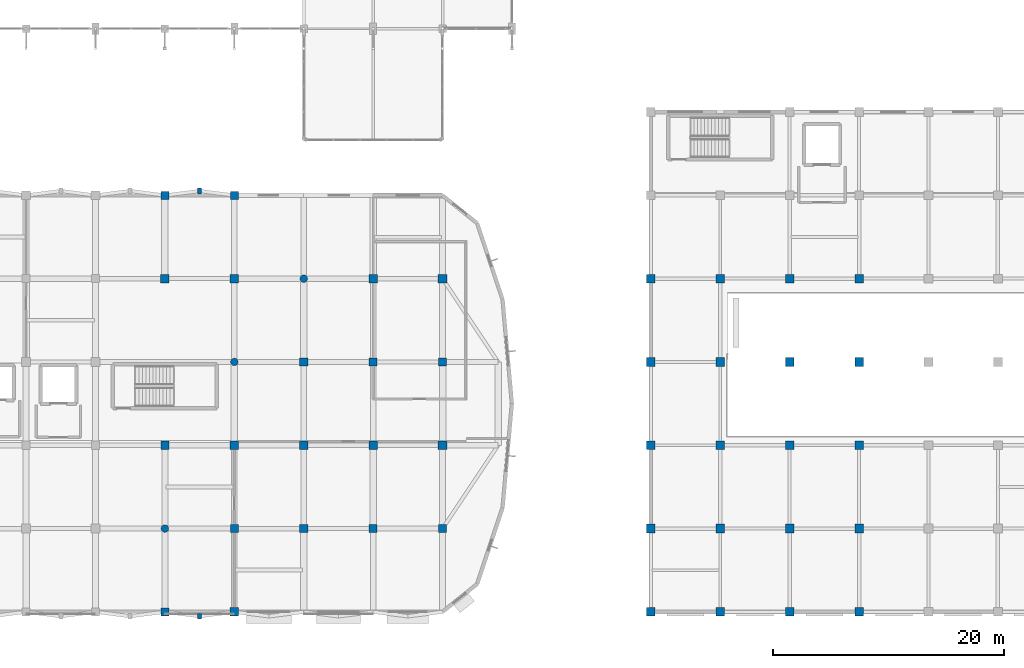
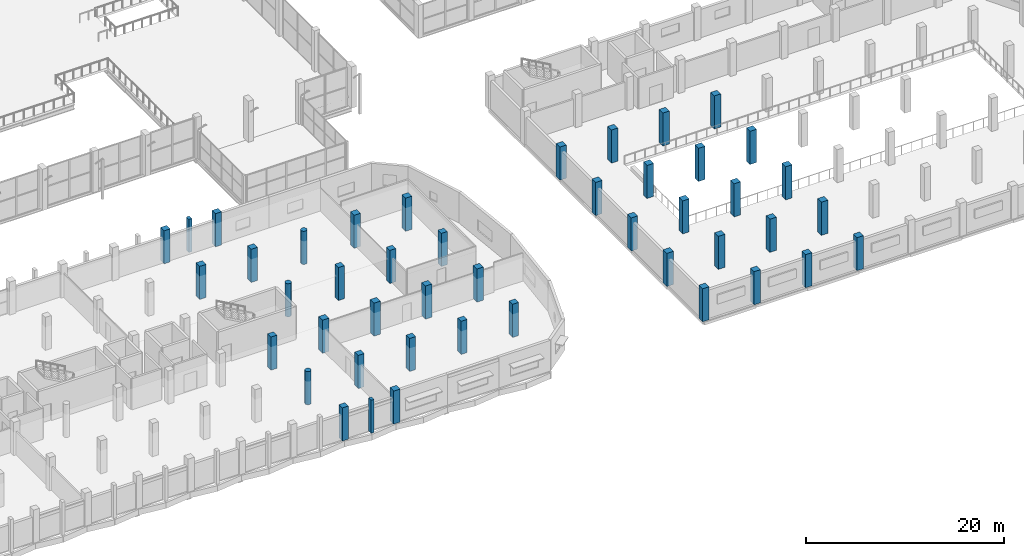
# One storey, part 3 of 127: 45 columns.
"""IFC4 building model written with IfcOpenShell, lengths in metres."""

from ifc_helpers import new_model, si_unit, direction, frame, origin, origin_2d, place, context, subcontext, project, spatial, rectangle, circle, extrude, material, material_profile, profile_set, type_object, element, save


model = new_model("IFC4")

# Units and contexts
model_context = context("Model", 3, precision=1e-05, world=origin(), true_north=direction((0.0, 1.0)))
body_context = subcontext(model_context, "Body", "Model", "MODEL_VIEW")
ifc_project = project(units=[si_unit("LENGTHUNIT", "METRE"), si_unit("AREAUNIT", "SQUARE_METRE"), si_unit("VOLUMEUNIT", "CUBIC_METRE"), si_unit("PLANEANGLEUNIT", "RADIAN"), si_unit("MASSUNIT", "GRAM", prefix="KILO")], contexts=[model_context])

# Site, building, storey
site_placement = place(None, origin())
site = spatial("IfcSite", under=ifc_project, at=site_placement, CompositionType="ELEMENT")
building_placement = place(site_placement, origin())
building = spatial("IfcBuilding", under=site, at=building_placement, Name="Dunvalen Ferry Terminal", CompositionType="ELEMENT")
storey_placement = place(building_placement, frame((0.0, 0.0, 5.760009765625)))
storey = spatial("IfcBuildingStorey", under=building, at=storey_placement, Name="L01", CompositionType="ELEMENT", Elevation=5.760009765625)

# Columns
ifc_material = material(Name="Concrete C40/50", Category="concrete")
ifc_material_profile_1 = material_profile(ifc_material, circle(Radius=0.324951171875, at=origin_2d()), Name="Concrete C40/50")
ifc_profile_set_1 = profile_set([ifc_material_profile_1], Name="Concrete C40/50")
column_type_1 = type_object("IfcColumnType", Name="STR-COL-D650", PredefinedType="COLUMN", material=ifc_profile_set_1)
for number, where, z_axis, x_axis, name in (
    (1, (66.0, 7.199951171875, 0.0), (0.0, 0.0, 1.0), (1.0, 0.0, 0.0), "L01 Maritime Wing Column 056"),
    (2, (72.0, 21.60009765625, 0.0), (0.0, 0.0, 1.0), (1.0, 0.0, 0.0), "L01 Maritime Wing Column 063"),
    (3, (78.0, 28.800048828125, 0.0), (0.0, 0.0, 1.0), (1.0, 0.0, 0.0), "L01 Maritime Wing Column 070"),
):
    element("IfcColumn", number, at=place(storey_placement, frame(where, z_axis=z_axis, x_axis=x_axis)), inside=storey, type_object=column_type_1, Name=name, PredefinedType="COLUMN", context=body_context, shape_type="SweptSolid", body=[
        extrude(circle(Radius=0.324951171875, at=origin_2d()), origin(), (0.0, 0.0, 1.0), 4.080078125),
    ])
ifc_material_profile_2 = material_profile(ifc_material, rectangle(XDim=0.699951171875, YDim=0.699951171875, at=origin_2d()), Name="Concrete C40/50")
ifc_profile_set_2 = profile_set([ifc_material_profile_2], Name="Concrete C40/50")
column_type_2 = type_object("IfcColumnType", Name="STR-COL-RC700", PredefinedType="COLUMN", material=ifc_profile_set_2)
for number, where, z_axis, x_axis, name in (
    (4, (66.0, 0.0, 0.0), (0.0, 0.0, 1.0), (1.0, 0.0, 0.0), "L01 Maritime Wing Column 055"),
    (5, (66.0, 14.39990234375, 0.0), (0.0, 0.0, 1.0), (1.0, 0.0, 0.0), "L01 Maritime Wing Column 057"),
    (6, (66.0, 36.0, 0.0), (0.0, 0.0, 1.0), (1.0, 0.0, 0.0), "L01 Maritime Wing Column 059"),
    (7, (72.0, 7.199951171875, 0.0), (0.0, 0.0, 1.0), (1.0, 0.0, 0.0), "L01 Maritime Wing Column 061"),
    (8, (72.0, 36.0, 0.0), (0.0, 0.0, 1.0), (1.0, 0.0, 0.0), "L01 Maritime Wing Column 065"),
    (9, (78.0, 7.199951171875, 0.0), (0.0, 0.0, 1.0), (1.0, 0.0, 0.0), "L01 Maritime Wing Column 067"),
    (10, (78.0, 21.60009765625, 0.0), (0.0, 0.0, 1.0), (1.0, 0.0, 0.0), "L01 Maritime Wing Column 069"),
    (11, (84.0, 7.199951171875, 0.0), (0.0, 0.0, 1.0), (1.0, 0.0, 0.0), "L01 Maritime Wing Column 073"),
    (12, (84.0, 21.60009765625, 0.0), (0.0, 0.0, 1.0), (1.0, 0.0, 0.0), "L01 Maritime Wing Column 075"),
    (13, (90.0, 7.199951171875, 0.0), (0.0, 0.0, 1.0), (1.0, 0.0, 0.0), "L01 Maritime Wing Column 079"),
    (14, (90.0, 21.60009765625, 0.0), (0.0, 0.0, 1.0), (1.0, 0.0, 0.0), "L01 Maritime Wing Column 081"),
):
    element("IfcColumn", number, at=place(storey_placement, frame(where, z_axis=z_axis, x_axis=x_axis)), inside=storey, type_object=column_type_2, Name=name, PredefinedType="COLUMN", context=body_context, shape_type="SweptSolid", body=[
        extrude(rectangle(XDim=0.699951171875, YDim=0.699951171875, at=origin_2d()), origin(), (0.0, 0.0, 1.0), 4.080078125),
    ])
ifc_material_profile_3 = material_profile(ifc_material, rectangle(XDim=0.75, YDim=0.75, at=origin_2d()), Name="Concrete C40/50")
ifc_profile_set_3 = profile_set([ifc_material_profile_3], Name="Concrete C40/50")
column_type_3 = type_object("IfcColumnType", Name="STR-COL-RC750", PredefinedType="COLUMN", material=ifc_profile_set_3)
for number, where, z_axis, x_axis, name in (
    (15, (66.0, 28.800048828125, 0.0), (0.0, 0.0, 1.0), (1.0, 0.0, 0.0), "L01 Maritime Wing Column 058"),
    (16, (72.0, 0.0, 0.0), (0.0, 0.0, 1.0), (1.0, 0.0, 0.0), "L01 Maritime Wing Column 060"),
    (17, (72.0, 14.39990234375, 0.0), (0.0, 0.0, 1.0), (1.0, 0.0, 0.0), "L01 Maritime Wing Column 062"),
    (18, (72.0, 28.800048828125, 0.0), (0.0, 0.0, 1.0), (1.0, 0.0, 0.0), "L01 Maritime Wing Column 064"),
    (19, (78.0, 14.39990234375, 0.0), (0.0, 0.0, 1.0), (1.0, 0.0, 0.0), "L01 Maritime Wing Column 068"),
    (20, (84.0, 14.39990234375, 0.0), (0.0, 0.0, 1.0), (1.0, 0.0, 0.0), "L01 Maritime Wing Column 074"),
    (21, (84.0, 28.800048828125, 0.0), (0.0, 0.0, 1.0), (1.0, 0.0, 0.0), "L01 Maritime Wing Column 076"),
    (22, (90.0, 14.39990234375, 0.0), (0.0, 0.0, 1.0), (1.0, 0.0, 0.0), "L01 Maritime Wing Column 080"),
    (23, (90.0, 28.800048828125, 0.0), (0.0, 0.0, 1.0), (1.0, 0.0, 0.0), "L01 Maritime Wing Column 082"),
    (24, (108.0, 0.0, 0.0), (0.0, 0.0, 1.0), (1.0, 0.0, 0.0), "L01 Vehicle Marshalling Column 01"),
    (25, (108.0, 7.199951171875, 0.0), (0.0, 0.0, 1.0), (1.0, 0.0, 0.0), "L01 Vehicle Marshalling Column 02"),
    (26, (108.0, 14.39990234375, 0.0), (0.0, 0.0, 1.0), (1.0, 0.0, 0.0), "L01 Vehicle Marshalling Column 03"),
    (27, (108.0, 21.60009765625, 0.0), (0.0, 0.0, 1.0), (1.0, 0.0, 0.0), "L01 Vehicle Marshalling Column 04"),
    (28, (108.0, 28.800048828125, 0.0), (0.0, 0.0, 1.0), (1.0, 0.0, 0.0), "L01 Vehicle Marshalling Column 05"),
    (29, (114.0, 0.0, 0.0), (0.0, 0.0, 1.0), (1.0, 0.0, 0.0), "L01 Vehicle Marshalling Column 08"),
    (30, (114.0, 7.199951171875, 0.0), (0.0, 0.0, 1.0), (1.0, 0.0, 0.0), "L01 Vehicle Marshalling Column 09"),
    (31, (114.0, 14.39990234375, 0.0), (0.0, 0.0, 1.0), (1.0, 0.0, 0.0), "L01 Vehicle Marshalling Column 10"),
    (32, (114.0, 21.60009765625, 0.0), (0.0, 0.0, 1.0), (1.0, 0.0, 0.0), "L01 Vehicle Marshalling Column 11"),
    (33, (114.0, 28.800048828125, 0.0), (0.0, 0.0, 1.0), (1.0, 0.0, 0.0), "L01 Vehicle Marshalling Column 12"),
    (34, (120.0, 0.0, 0.0), (0.0, 0.0, 1.0), (1.0, 0.0, 0.0), "L01 Vehicle Marshalling Column 14"),
    (35, (120.0, 7.199951171875, 0.0), (0.0, 0.0, 1.0), (1.0, 0.0, 0.0), "L01 Vehicle Marshalling Column 15"),
    (36, (120.0, 14.39990234375, 0.0), (0.0, 0.0, 1.0), (1.0, 0.0, 0.0), "L01 Vehicle Marshalling Column 16"),
    (37, (120.0, 21.60009765625, 0.0), (0.0, 0.0, 1.0), (1.0, 0.0, 0.0), "L01 Vehicle Marshalling Column 17"),
    (38, (120.0, 28.800048828125, 0.0), (0.0, 0.0, 1.0), (1.0, 0.0, 0.0), "L01 Vehicle Marshalling Column 18"),
    (39, (126.0, 0.0, 0.0), (0.0, 0.0, 1.0), (1.0, 0.0, 0.0), "L01 Vehicle Marshalling Column 21"),
    (40, (126.0, 7.199951171875, 0.0), (0.0, 0.0, 1.0), (1.0, 0.0, 0.0), "L01 Vehicle Marshalling Column 22"),
    (41, (126.0, 14.39990234375, 0.0), (0.0, 0.0, 1.0), (1.0, 0.0, 0.0), "L01 Vehicle Marshalling Column 23"),
    (42, (126.0, 21.60009765625, 0.0), (0.0, 0.0, 1.0), (1.0, 0.0, 0.0), "L01 Vehicle Marshalling Column 24"),
    (43, (126.0, 28.800048828125, 0.0), (0.0, 0.0, 1.0), (1.0, 0.0, 0.0), "L01 Vehicle Marshalling Column 25"),
):
    element("IfcColumn", number, at=place(storey_placement, frame(where, z_axis=z_axis, x_axis=x_axis)), inside=storey, type_object=column_type_3, Name=name, PredefinedType="COLUMN", context=body_context, shape_type="SweptSolid", body=[
        extrude(rectangle(XDim=0.75, YDim=0.75, at=origin_2d()), origin(), (0.0, 0.0, 1.0), 4.080078125),
    ])
ifc_material_profile_4 = material_profile(ifc_material, rectangle(XDim=0.35009765625, YDim=0.5, at=origin_2d()), Name="Concrete C40/50")
ifc_profile_set_4 = profile_set([ifc_material_profile_4], Name="Concrete C40/50")
column_type_4 = type_object("IfcColumnType", Name="STR-PIL-350x500", PredefinedType="PILASTER", material=ifc_profile_set_4)
for number, where, z_axis, x_axis, name in (
    (44, (69.0, -0.3798828125, 0.0), (0.0, 0.0, 1.0), (1.0, 0.0, 0.0), "L01 South Forecourt Pilaster 10"),
    (45, (69.0, 36.3798828125, 0.0), (0.0, 0.0, 1.0), (1.0, 0.0, 0.0), "L01 North Passage Pilaster 10"),
):
    element("IfcColumn", number, at=place(storey_placement, frame(where, z_axis=z_axis, x_axis=x_axis)), inside=storey, type_object=column_type_4, Name=name, PredefinedType="PILASTER", context=body_context, shape_type="SweptSolid", body=[
        extrude(rectangle(XDim=0.35009765625, YDim=0.5, at=origin_2d()), origin(), (0.0, 0.0, 1.0), 4.080078125),
    ])

save(model, "model.ifc")
